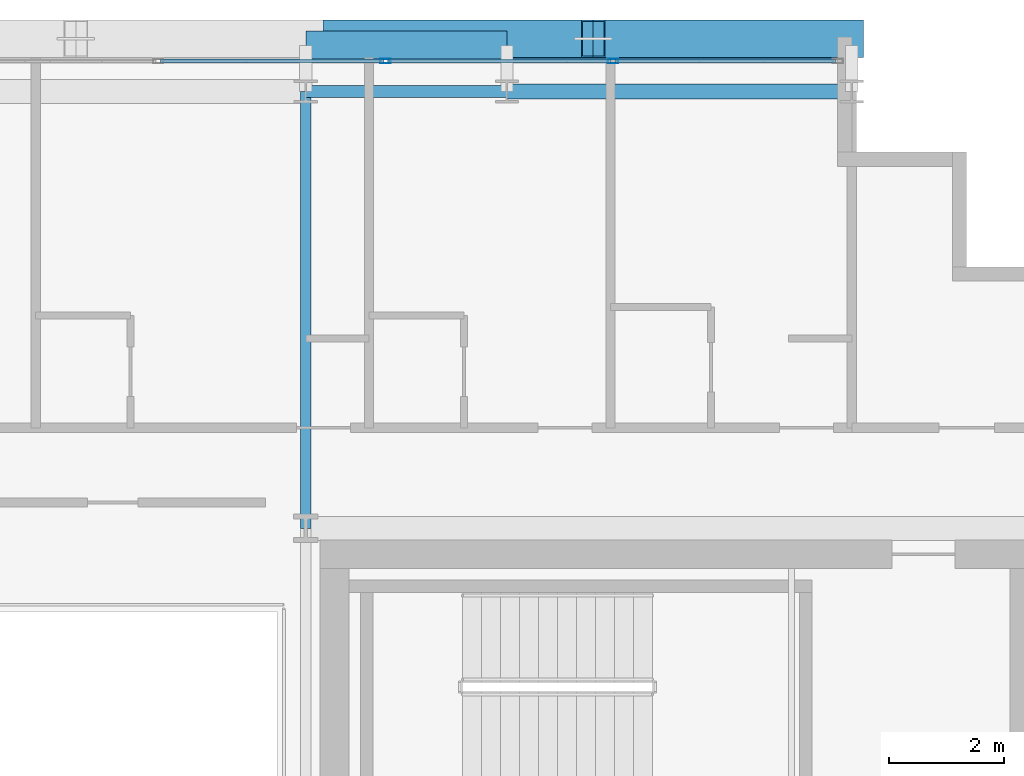
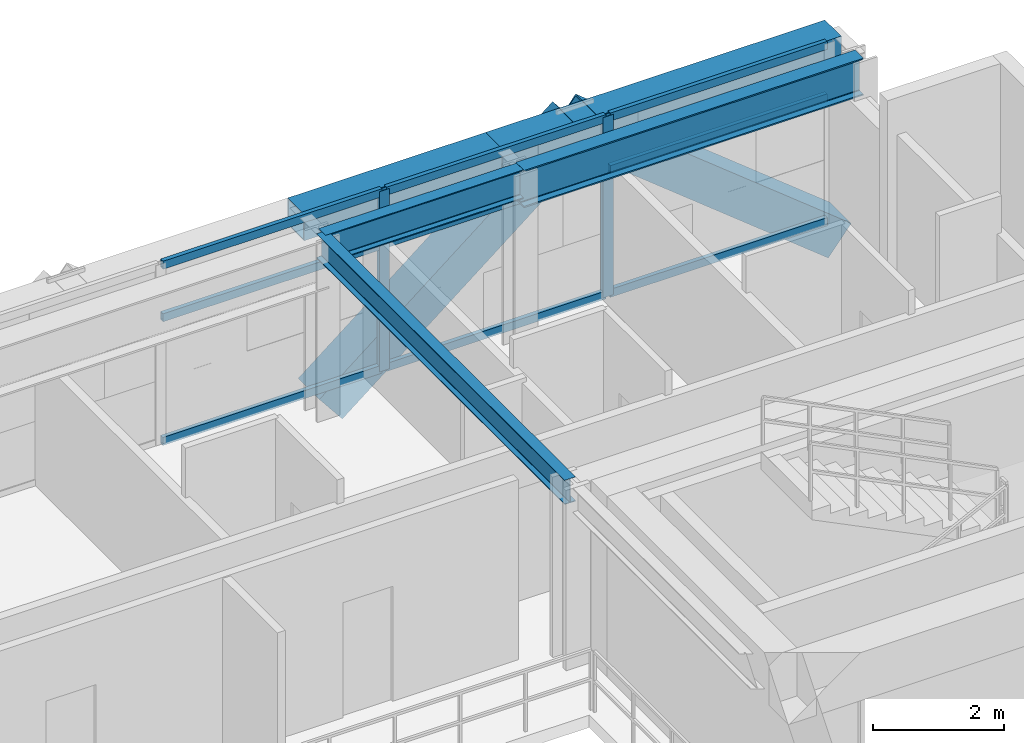
# One storey, part 18 of 31: 13 members, 5 beams, 1 element without a shape of its own.
"""IFC4 building model written with IfcOpenShell, lengths in metres."""

from ifc_helpers import new_model, si_unit, direction, frame, origin, origin_2d, place, context, subcontext, project, spatial, hollow_rectangle, i_section, extrude, source, transform, mapped, material, layer, layer_set, material_profile, profile_set, type_object, element, aggregate, save


model = new_model("IFC4")

# Units and contexts
model_context = context("Model", 3, precision=1e-05, world=origin(), true_north=direction((0.0, 1.0)))
body_context = subcontext(model_context, "Body", "Model", "MODEL_VIEW")
ifc_project = project(units=[si_unit("LENGTHUNIT", "METRE"), si_unit("AREAUNIT", "SQUARE_METRE"), si_unit("VOLUMEUNIT", "CUBIC_METRE"), si_unit("PLANEANGLEUNIT", "RADIAN"), si_unit("MASSUNIT", "GRAM", prefix="KILO")], contexts=[model_context])

# Site, building, storey
site_placement = place(None, origin())
site = spatial("IfcSite", under=ifc_project, at=site_placement, CompositionType="ELEMENT")
building_placement = place(site_placement, origin())
building = spatial("IfcBuilding", under=site, at=building_placement, Name="Ocotamira Hotel", CompositionType="ELEMENT")
storey_placement = place(building_placement, frame((0.0, 0.0, 188.39990234375)))
storey = spatial("IfcBuildingStorey", under=building, at=storey_placement, Name="L47", CompositionType="ELEMENT", Elevation=188.39990234375)

# Beams
ifc_material_1 = material(Name="Steel ASTM A992 Grade 50", Category="steel")
ifc_material_profile_1 = material_profile(ifc_material_1, i_section(OverallWidth=0.256103515625, OverallDepth=0.693115234375, WebThickness=0.014404296875, FlangeThickness=0.023681640625, FilletRadius=0.01611328125, at=origin_2d()), Name="W27X114")
ifc_profile_set_1 = profile_set([ifc_material_profile_1], Name="Steel ASTM A992 Grade 50")
beam_type_1 = type_object("IfcBeamType", Name="BM-PRIM-W27X114", PredefinedType="BEAM", material=ifc_profile_set_1)
shared_shape_1 = source(origin(), body_context, "Body", "SweptSolid", [
    extrude(i_section(OverallWidth=0.256103515625, OverallDepth=0.693115234375, WebThickness=0.014404296875, FlangeThickness=0.023681640625, FilletRadius=0.01611328125, at=origin_2d()), origin(), (0.0, 0.0, 1.0), 6.0),
])
beam_1_placement = place(storey_placement, frame((44.0, 45.050048828125, 3.023681640625), z_axis=(1.0, 0.0, 0.0), x_axis=(0.0, 1.0, 0.0)))
element("IfcBeam", 1, at=beam_1_placement, inside=storey, type_object=beam_type_1, Name="L47 Girder Y45.05 X44-50", PredefinedType="BEAM", context=body_context, shape_type="MappedRepresentation", body=[
    mapped(shared_shape_1, transform((0.0, 0.0, 0.0), scale=1.0)),
])
ifc_material_profile_2 = material_profile(ifc_material_1, i_section(OverallWidth=0.2099609375, OverallDepth=0.537109375, WebThickness=0.010986328125, FlangeThickness=0.017333984375, FilletRadius=0.012939453125, at=origin_2d()), Name="W21X68")
ifc_profile_set_2 = profile_set([ifc_material_profile_2], Name="Steel ASTM A992 Grade 50")
beam_type_2 = type_object("IfcBeamType", Name="BM-SEC-W21X68", PredefinedType="JOIST", material=ifc_profile_set_2)
shared_shape_2 = source(origin(), body_context, "Body", "SweptSolid", [
    extrude(i_section(OverallWidth=0.2099609375, OverallDepth=0.537109375, WebThickness=0.010986328125, FlangeThickness=0.017333984375, FilletRadius=0.012939453125, at=origin_2d()), origin(), (0.0, 0.0, 1.0), 3.5),
])
beam_2_placement = place(storey_placement, frame((40.5, 45.050048828125, 3.1015625), z_axis=(1.0, 0.0, 0.0), x_axis=(0.0, 1.0, 0.0)))
element("IfcBeam", 2, at=beam_2_placement, inside=storey, type_object=beam_type_2, Name="L47 Girder Y45.05 X40.5-44", PredefinedType="JOIST", context=body_context, shape_type="MappedRepresentation", body=[
    mapped(shared_shape_2, transform((0.0, 0.0, 0.0), scale=1.0)),
])
ifc_material_2 = material(Name="Steel ASTM A500 Grade C", Category="steel")
ifc_material_profile_3 = material_profile(ifc_material_2, hollow_rectangle(XDim=0.5, YDim=0.5, WallThickness=0.02001953125, at=origin_2d()), Name="HSS500X500X20")
ifc_profile_set_3 = profile_set([ifc_material_profile_3], Name="Steel ASTM A500 Grade C")
beam_type_3 = type_object("IfcBeamType", Name="BM-SPAN-HSS500", PredefinedType="USERDEFINED", material=ifc_profile_set_3)
shared_shape_3 = source(origin(), body_context, "Body", "SweptSolid", [
    extrude(hollow_rectangle(XDim=0.5, YDim=0.5, WallThickness=0.02001953125, at=origin_2d()), origin(), (0.0, 0.0, 1.0), 6.0),
])
beam_3_placement = place(storey_placement, frame((44.0, 45.85009765625, 3.1201171875), z_axis=(1.0, 0.0, 0.0), x_axis=(0.0, 1.0, 0.0)))
element("IfcBeam", 3, at=beam_3_placement, inside=storey, type_object=beam_type_3, Name="L47 Edge Spandrel N X44-50", ObjectType="SPANDREL", PredefinedType="USERDEFINED", context=body_context, shape_type="MappedRepresentation", body=[
    mapped(shared_shape_3, transform((0.0, 0.0, 0.0), scale=1.0)),
])
shared_shape_4 = source(origin(), body_context, "Body", "SweptSolid", [
    extrude(hollow_rectangle(XDim=0.5, YDim=0.5, WallThickness=0.02001953125, at=origin_2d()), origin(), (0.0, 0.0, 1.0), 3.5),
])
beam_4_placement = place(storey_placement, frame((40.5, 45.85009765625, 3.1201171875), z_axis=(1.0, 0.0, 0.0), x_axis=(0.0, 1.0, 0.0)))
element("IfcBeam", 4, at=beam_4_placement, inside=storey, type_object=beam_type_3, Name="L47 Edge Spandrel N X40.5-44", ObjectType="SPANDREL", PredefinedType="USERDEFINED", context=body_context, shape_type="MappedRepresentation", body=[
    mapped(shared_shape_4, transform((0.0, 0.0, 0.0), scale=1.0)),
])
ifc_material_profile_4 = material_profile(ifc_material_1, i_section(OverallWidth=0.18994140625, OverallDepth=0.45703125, WebThickness=0.009033203125, FlangeThickness=0.014404296875, FilletRadius=0.010009765625, at=origin_2d()), Name="W18X50")
ifc_profile_set_4 = profile_set([ifc_material_profile_4], Name="Steel ASTM A992 Grade 50")
beam_type_4 = type_object("IfcBeamType", Name="BM-SEC-W18X50", PredefinedType="JOIST", material=ifc_profile_set_4)
shared_shape_5 = source(origin(), body_context, "Body", "SweptSolid", [
    extrude(i_section(OverallWidth=0.18994140625, OverallDepth=0.45703125, WebThickness=0.009033203125, FlangeThickness=0.014404296875, FilletRadius=0.010009765625, at=origin_2d()), origin(), (0.0, 0.0, 1.0), 7.60009765625),
])
beam_5_placement = place(storey_placement, frame((40.5, 37.449951171875, 3.1416015625), z_axis=(0.0, 1.0, 0.0), x_axis=(-1.0, 0.0, 0.0)))
element("IfcBeam", 5, at=beam_5_placement, inside=storey, type_object=beam_type_4, Name="L47 Beam X40.5 Y37.45-45.05", PredefinedType="JOIST", context=body_context, shape_type="MappedRepresentation", body=[
    mapped(shared_shape_5, transform((0.0, 0.0, 0.0), scale=1.0)),
])

# Members
ifc_material_3 = material(Name="Pale-metal coated steel ASTM A913 Grade 65", Category="steel")
ifc_material_profile_5 = material_profile(ifc_material_3, hollow_rectangle(XDim=0.64990234375, YDim=0.64990234375, WallThickness=0.02197265625, at=origin_2d()), Name="BOX650X650X22")
ifc_profile_set_5 = profile_set([ifc_material_profile_5], Name="Pale-metal coated steel ASTM A913 Grade 65")
member_type_1 = type_object("IfcMemberType", Name="MEM-EXO-BOX650", PredefinedType="BRACE", material=ifc_profile_set_5)
shared_shape_6 = source(origin(), body_context, "Body", "SweptSolid", [
    extrude(hollow_rectangle(XDim=0.64990234375, YDim=0.64990234375, WallThickness=0.02197265625, at=origin_2d()), origin(), (0.0, 0.0, 1.0), 5.762939453125),
])
for number, where, z_axis, x_axis, name in (
    (6, (41.0, 45.969970703125, -0.47998046875), (0.780860543151, 0.0, 0.624705380279), (0.0, 1.0, 0.0), "L47 Exoskeleton Diagrid N3.1"),
    (7, (50.0, 45.969970703125, -0.47998046875), (-0.780860543151, 0.0, 0.624705380279), (0.0, -1.0, 0.0), "L47 Exoskeleton Diagrid N3.2"),
):
    element("IfcMember", number, at=place(storey_placement, frame(where, z_axis=z_axis, x_axis=x_axis)), inside=storey, type_object=member_type_1, Name=name, PredefinedType="BRACE", context=body_context, shape_type="MappedRepresentation", body=[
        mapped(shared_shape_6, transform((0.0, 0.0, 0.0), scale=1.0)),
    ])

# Curtain wall, members
ifc_material_4 = material(Name="Anodised pale-metal aluminium and solar glass", Category="aluminium")
ifc_layer = layer(ifc_material_4, 0.199951171875)
ifc_layer_set = layer_set([ifc_layer], Name="Anodised pale-metal aluminium and solar glass")
curtain_wall_type = type_object("IfcCurtainWallType", Name="CW-SYS4-Z3", PredefinedType="NOTDEFINED", material=ifc_layer_set)
curtain_wall_placement = place(storey_placement, origin())
curtain_wall = element("IfcCurtainWall", 8, at=curtain_wall_placement, inside=storey, type_object=curtain_wall_type, Name="L47 Curtain Wall CW-4 CW-L47-N", PredefinedType="NOTDEFINED")
ifc_material_5 = material(Name="Anodised pale-metal aluminium 6063-T6", Category="aluminium")
ifc_material_profile_6 = material_profile(ifc_material_5, hollow_rectangle(XDim=0.074951171875, YDim=0.14990234375, WallThickness=0.006103515625, at=origin_2d()), Name="HSS150X75X6")
ifc_profile_set_6 = profile_set([ifc_material_profile_6], Name="Anodised pale-metal aluminium 6063-T6")
member_type_2 = type_object("IfcMemberType", Name="CWT-150X75", PredefinedType="USERDEFINED", material=ifc_profile_set_6)
shared_shape_7 = source(origin(), body_context, "Body", "SweptSolid", [
    extrude(hollow_rectangle(XDim=0.074951171875, YDim=0.14990234375, WallThickness=0.006103515625, at=origin_2d()), origin(), (0.0, 0.0, 1.0), 3.83544921875),
])
member_1_placement = place(storey_placement, frame((45.884521484375, 45.580078125, 0.03759765625), z_axis=(1.0, 0.0, 0.0), x_axis=(0.0, 1.0, 0.0)))
member_1 = element("IfcMember", 9, at=member_1_placement, type_object=member_type_2, Name="CW-4 transom 9.1", ObjectType="TRANSOM", PredefinedType="USERDEFINED", context=body_context, shape_type="MappedRepresentation", body=[
    mapped(shared_shape_7, transform((0.0, 0.0, 0.0), scale=1.0)),
])
member_2_placement = place(storey_placement, frame((45.884521484375, 45.580078125, 2.35009765625), z_axis=(1.0, 0.0, 0.0), x_axis=(0.0, 1.0, 0.0)))
member_2 = element("IfcMember", 10, at=member_2_placement, type_object=member_type_2, Name="CW-4 transom 9.2", ObjectType="TRANSOM", PredefinedType="USERDEFINED", context=body_context, shape_type="MappedRepresentation", body=[
    mapped(shared_shape_7, transform((0.0, 0.0, 0.0), scale=1.0)),
])
member_3_placement = place(storey_placement, frame((45.884521484375, 45.580078125, 3.33251953125), z_axis=(1.0, 0.0, 0.0), x_axis=(0.0, 1.0, 0.0)))
member_3 = element("IfcMember", 11, at=member_3_placement, type_object=member_type_2, Name="CW-4 transom 9.3", ObjectType="TRANSOM", PredefinedType="USERDEFINED", context=body_context, shape_type="MappedRepresentation", body=[
    mapped(shared_shape_7, transform((0.0, 0.0, 0.0), scale=1.0)),
])
shared_shape_8 = source(origin(), body_context, "Body", "SweptSolid", [
    extrude(hollow_rectangle(XDim=0.074951171875, YDim=0.14990234375, WallThickness=0.006103515625, at=origin_2d()), origin(), (0.0, 0.0, 1.0), 3.87548828125),
])
member_4_placement = place(storey_placement, frame((37.973388671875, 45.580078125, 0.03759765625), z_axis=(1.0, 0.0, 0.0), x_axis=(0.0, 1.0, 0.0)))
member_4 = element("IfcMember", 12, at=member_4_placement, type_object=member_type_2, Name="CW-4 transom 7.1", ObjectType="TRANSOM", PredefinedType="USERDEFINED", context=body_context, shape_type="MappedRepresentation", body=[
    mapped(shared_shape_8, transform((0.0, 0.0, 0.0), scale=1.0)),
])
member_5_placement = place(storey_placement, frame((37.973388671875, 45.580078125, 2.35009765625), z_axis=(1.0, 0.0, 0.0), x_axis=(0.0, 1.0, 0.0)))
member_5 = element("IfcMember", 13, at=member_5_placement, type_object=member_type_2, Name="CW-4 transom 7.2", ObjectType="TRANSOM", PredefinedType="USERDEFINED", context=body_context, shape_type="MappedRepresentation", body=[
    mapped(shared_shape_8, transform((0.0, 0.0, 0.0), scale=1.0)),
])
member_6_placement = place(storey_placement, frame((37.973388671875, 45.580078125, 3.33251953125), z_axis=(1.0, 0.0, 0.0), x_axis=(0.0, 1.0, 0.0)))
member_6 = element("IfcMember", 14, at=member_6_placement, type_object=member_type_2, Name="CW-4 transom 7.3", ObjectType="TRANSOM", PredefinedType="USERDEFINED", context=body_context, shape_type="MappedRepresentation", body=[
    mapped(shared_shape_8, transform((0.0, 0.0, 0.0), scale=1.0)),
])
member_7_placement = place(storey_placement, frame((41.928955078125, 45.580078125, 0.03759765625), z_axis=(1.0, 0.0, 0.0), x_axis=(0.0, 1.0, 0.0)))
member_7 = element("IfcMember", 15, at=member_7_placement, type_object=member_type_2, Name="CW-4 transom 8.1", ObjectType="TRANSOM", PredefinedType="USERDEFINED", context=body_context, shape_type="MappedRepresentation", body=[
    mapped(shared_shape_8, transform((0.0, 0.0, 0.0), scale=1.0)),
])
member_8_placement = place(storey_placement, frame((41.928955078125, 45.580078125, 2.35009765625), z_axis=(1.0, 0.0, 0.0), x_axis=(0.0, 1.0, 0.0)))
member_8 = element("IfcMember", 16, at=member_8_placement, type_object=member_type_2, Name="CW-4 transom 8.2", ObjectType="TRANSOM", PredefinedType="USERDEFINED", context=body_context, shape_type="MappedRepresentation", body=[
    mapped(shared_shape_8, transform((0.0, 0.0, 0.0), scale=1.0)),
])
member_9_placement = place(storey_placement, frame((41.928955078125, 45.580078125, 3.33251953125), z_axis=(1.0, 0.0, 0.0), x_axis=(0.0, 1.0, 0.0)))
member_9 = element("IfcMember", 17, at=member_9_placement, type_object=member_type_2, Name="CW-4 transom 8.3", ObjectType="TRANSOM", PredefinedType="USERDEFINED", context=body_context, shape_type="MappedRepresentation", body=[
    mapped(shared_shape_8, transform((0.0, 0.0, 0.0), scale=1.0)),
])
ifc_material_profile_7 = material_profile(ifc_material_5, hollow_rectangle(XDim=0.080078125, YDim=0.179931640625, WallThickness=0.006103515625, at=origin_2d()), Name="HSS180X80X6")
ifc_profile_set_7 = profile_set([ifc_material_profile_7], Name="Anodised pale-metal aluminium 6063-T6")
member_type_3 = type_object("IfcMemberType", Name="CWM-180X75", PredefinedType="MULLION", material=ifc_profile_set_7)
shared_shape_9 = source(origin(), body_context, "Body", "SweptSolid", [
    extrude(hollow_rectangle(XDim=0.080078125, YDim=0.179931640625, WallThickness=0.006103515625, at=origin_2d()), origin(), (0.0, 0.0, 1.0), 3.3701171875),
])
member_10_placement = place(storey_placement, frame((41.888916015625, 45.580078125, 0.0), z_axis=(0.0, 0.0, 1.0), x_axis=(0.0, 1.0, 0.0)))
member_10 = element("IfcMember", 18, at=member_10_placement, type_object=member_type_3, Name="CW-4 mullion 8", PredefinedType="MULLION", context=body_context, shape_type="MappedRepresentation", body=[
    mapped(shared_shape_9, transform((0.0, 0.0, 0.0), scale=1.0)),
])
member_11_placement = place(storey_placement, frame((45.844482421875, 45.580078125, 0.0), z_axis=(0.0, 0.0, 1.0), x_axis=(0.0, 1.0, 0.0)))
member_11 = element("IfcMember", 19, at=member_11_placement, type_object=member_type_3, Name="CW-4 mullion 9", PredefinedType="MULLION", context=body_context, shape_type="MappedRepresentation", body=[
    mapped(shared_shape_9, transform((0.0, 0.0, 0.0), scale=1.0)),
])
aggregate(curtain_wall, [member_10, member_11, member_4, member_5, member_6, member_7, member_8, member_9, member_1, member_2, member_3])

save(model, "model.ifc")
